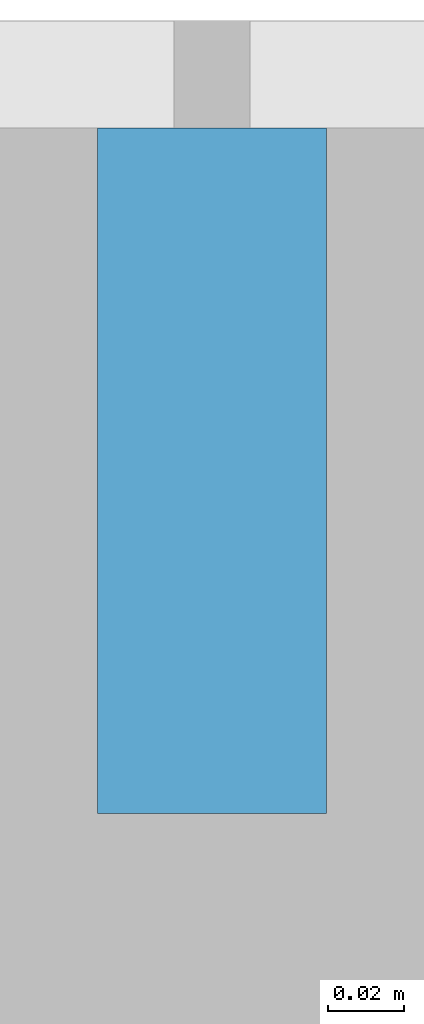
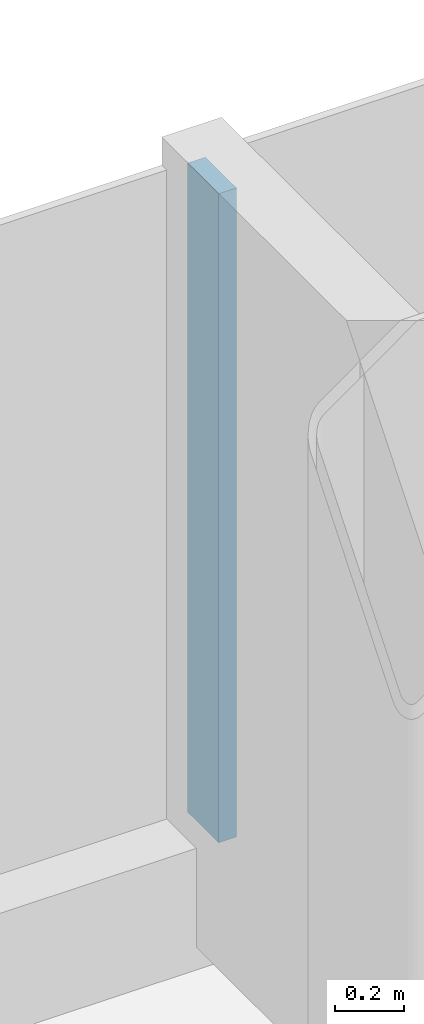
# One storey, part 9 of 26: 1 member, 1 element without a shape of its own.
"""IFC4 building model written with IfcOpenShell, lengths in metres."""

from ifc_helpers import new_model, si_unit, direction, frame, origin, origin_2d, place, context, subcontext, project, spatial, rectangle, extrude, material, layer, layer_set, material_profile, profile_set, type_object, element, aggregate, save


model = new_model("IFC4")

# Units and contexts
model_context = context("Model", 3, precision=1e-05, world=origin(), true_north=direction((0.0, 1.0)))
body_context = subcontext(model_context, "Body", "Model", "MODEL_VIEW")
ifc_project = project(units=[si_unit("LENGTHUNIT", "METRE"), si_unit("AREAUNIT", "SQUARE_METRE"), si_unit("VOLUMEUNIT", "CUBIC_METRE"), si_unit("PLANEANGLEUNIT", "RADIAN"), si_unit("MASSUNIT", "GRAM", prefix="KILO")], contexts=[model_context])

# Site, building, storey
site_placement = place(None, origin())
site = spatial("IfcSite", under=ifc_project, at=site_placement, CompositionType="ELEMENT")
building_placement = place(site_placement, origin())
building = spatial("IfcBuilding", under=site, at=building_placement, Name="Hakoniwa Tower and Hamabe Station Hall", CompositionType="ELEMENT")
storey_placement = place(building_placement, frame((0.0, 0.0, 212.199951171875)))
storey = spatial("IfcBuildingStorey", under=building, at=storey_placement, Name="L60", CompositionType="ELEMENT", Elevation=212.199951171875)

# Curtain wall, member
ifc_material_1 = material(Name="Dark low-e laminated glass", Category="glass")
ifc_layer = layer(ifc_material_1, 0.199951171875)
ifc_layer_set = layer_set([ifc_layer], Name="CW-1 UNITISED GUEST")
curtain_wall_type = type_object("IfcCurtainWallType", Name="CW-1 UNITISED GUEST", PredefinedType="NOTDEFINED", material=ifc_layer_set)
curtain_wall_placement = place(storey_placement, origin())
curtain_wall = element("IfcCurtainWall", 1, at=curtain_wall_placement, inside=storey, type_object=curtain_wall_type, Name="CW-1 curtain wall", PredefinedType="NOTDEFINED")
ifc_material_2 = material(Name="Aluminium 6063-T5 black anodised", Category="aluminium")
ifc_material_profile = material_profile(ifc_material_2, rectangle(XDim=0.06005859375, YDim=0.179931640625, at=origin_2d()), Name="CW-1 MULLION 60X180")
ifc_profile_set = profile_set([ifc_material_profile], Name="Aluminium 6063-T5 black anodised")
member_type = type_object("IfcMemberType", Name="CW-1 MULLION 60X180", PredefinedType="MULLION", material=ifc_profile_set)
member_placement = place(storey_placement, frame((16.800048828125, 20.431884765625, 0.35009765625), z_axis=(0.0, 0.0, 1.0), x_axis=(-1.0, 0.0, 0.0)))
member = element("IfcMember", 2, at=member_placement, type_object=member_type, Name="CW-1 mullion", PredefinedType="MULLION", context=body_context, shape_type="SweptSolid", body=[
    extrude(rectangle(XDim=0.06005859375, YDim=0.179931640625, at=origin_2d()), origin(), (0.0, 0.0, 1.0), 2.300048828125),
])
aggregate(curtain_wall, [member])

save(model, "model.ifc")
